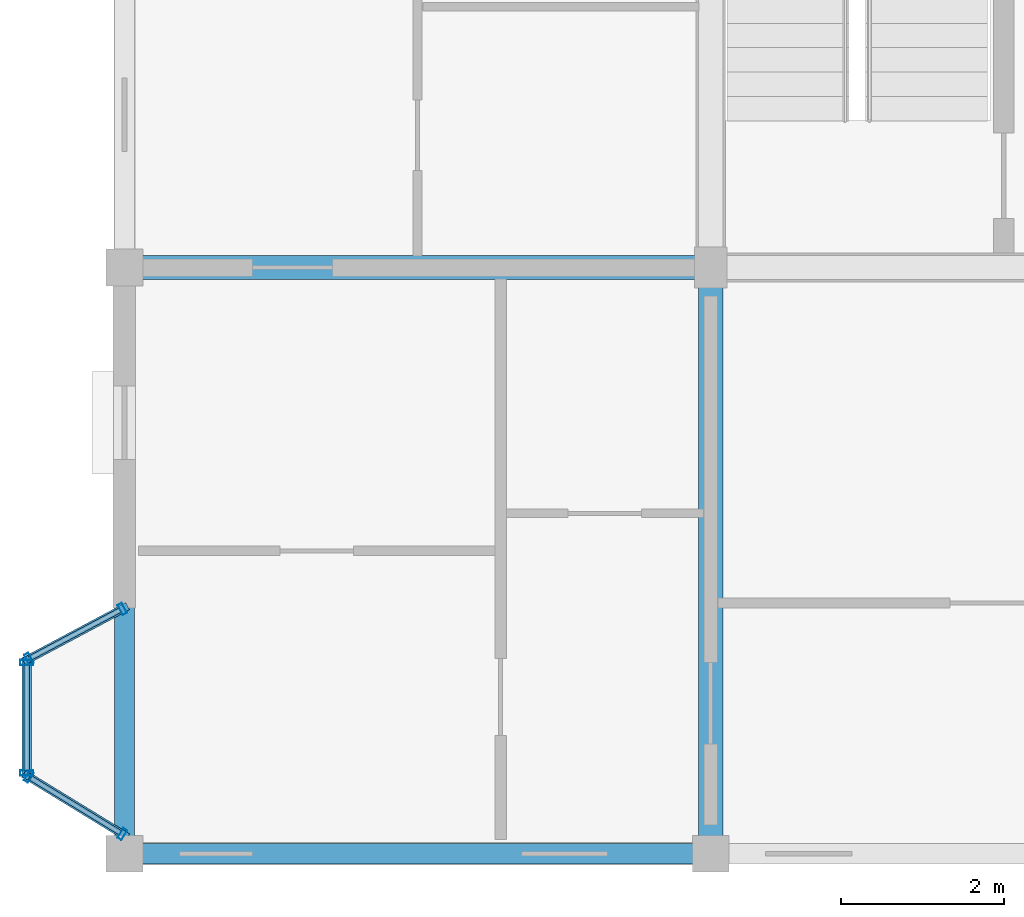
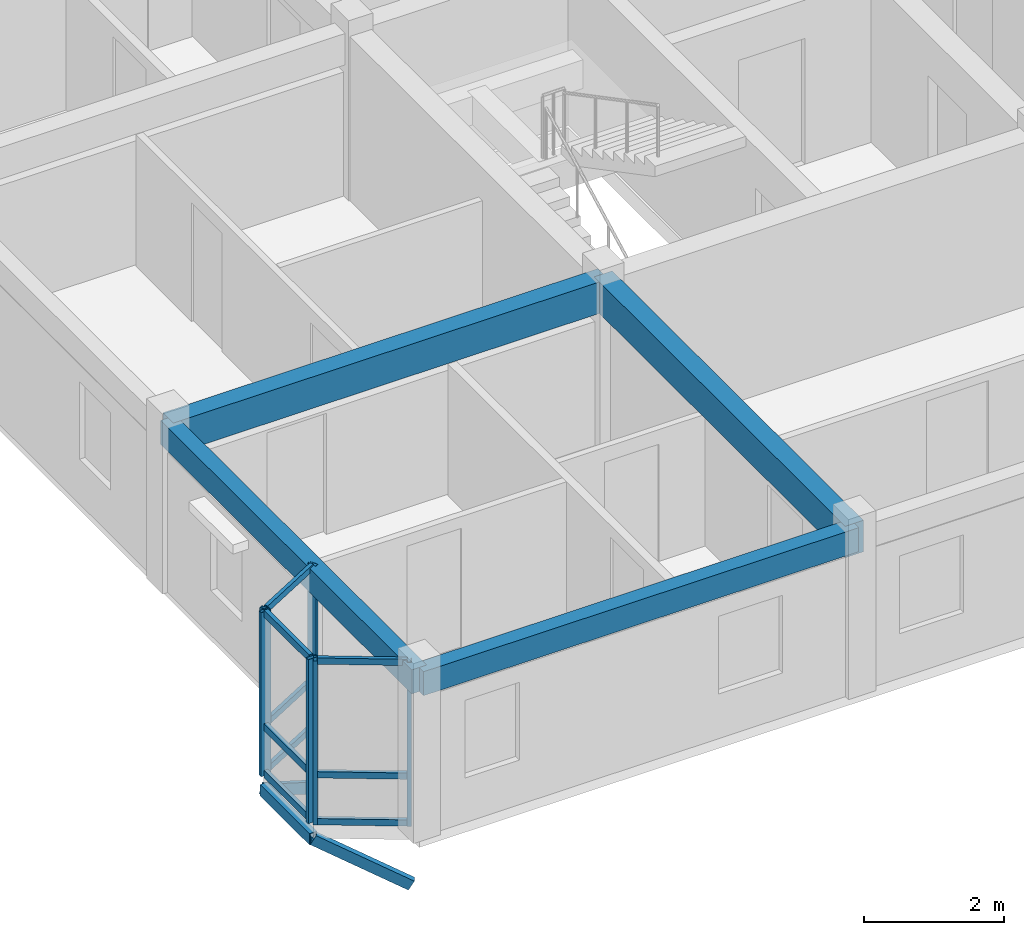
# One storey, part 3 of 40: 18 members, 4 beams, 3 elements without a shape of their own.
"""IFC4 building model written with IfcOpenShell, lengths in metres."""

from ifc_helpers import new_model, si_unit, direction, frame, origin, origin_2d, place, context, subcontext, project, spatial, rectangle, hollow_rectangle, extrude, material, layer, layer_set, material_profile, profile_set, type_object, element, aggregate, save


model = new_model("IFC4")

# Units and contexts
model_context = context("Model", 3, precision=1e-05, world=origin(), true_north=direction((0.0, 1.0)))
body_context = subcontext(model_context, "Body", "Model", "MODEL_VIEW")
ifc_project = project(units=[si_unit("LENGTHUNIT", "METRE"), si_unit("AREAUNIT", "SQUARE_METRE"), si_unit("VOLUMEUNIT", "CUBIC_METRE"), si_unit("PLANEANGLEUNIT", "RADIAN"), si_unit("MASSUNIT", "GRAM", prefix="KILO"), si_unit("THERMODYNAMICTEMPERATUREUNIT", "KELVIN"), si_unit("POWERUNIT", "WATT")], contexts=[model_context])

# Site, building, storey
site_placement = place(None, origin())
site = spatial("IfcSite", under=ifc_project, at=site_placement, CompositionType="ELEMENT")
building_placement = place(site_placement, origin())
building = spatial("IfcBuilding", under=site, at=building_placement, Name="Tavuni Mirador Residences", CompositionType="ELEMENT")
storey_placement = place(building_placement, frame((0.0, 0.0, 36.0)))
storey = spatial("IfcBuildingStorey", under=building, at=storey_placement, Name="L11", CompositionType="ELEMENT", Elevation=36.0)

# Beams
ifc_material_1 = material(Name="Precast concrete C40/50", Category="concrete")
ifc_material_profile_1 = material_profile(ifc_material_1, rectangle(XDim=0.300048828125, YDim=0.550048828125, at=origin_2d()), Name="PC 300x550", Category="concrete")
ifc_profile_set_1 = profile_set([ifc_material_profile_1], Name="Precast concrete C40/50")
beam_type_1 = type_object("IfcBeamType", Name="BT-B550", PredefinedType="BEAM", material=ifc_profile_set_1)
for number, where, z_axis, x_axis, name in (
    (1, (3.60009765625, 14.39990234375, 2.594970703125), (1.0, 0.0, 0.0), (0.0, 1.0, 0.0), "BMX-BLK-A-L11-00-01"),
    (2, (10.800048828125, 7.199951171875, 2.594970703125), (0.0, 1.0, 0.0), (-1.0, 0.0, 0.0), "BMY-BLK-A-L11-01-00"),
):
    element("IfcBeam", number, at=place(storey_placement, frame(where, z_axis=z_axis, x_axis=x_axis)), inside=storey, type_object=beam_type_1, Name=name, PredefinedType="BEAM", context=body_context, shape_type="SweptSolid", body=[
        extrude(rectangle(XDim=0.300048828125, YDim=0.550048828125, at=origin_2d()), origin(), (0.0, 0.0, 1.0), 7.199951171875),
    ])
ifc_material_profile_2 = material_profile(ifc_material_1, rectangle(XDim=0.25, YDim=0.419921875, at=origin_2d()), Name="PC 250x420", Category="concrete")
ifc_profile_set_2 = profile_set([ifc_material_profile_2], Name="Precast concrete C40/50")
beam_type_2 = type_object("IfcBeamType", Name="BT-SP420", PredefinedType="SPANDREL", material=ifc_profile_set_2)
for number, where, z_axis, x_axis, name in (
    (3, (3.60009765625, 7.199951171875, 2.659912109375), (1.0, 0.0, 0.0), (0.0, 1.0, 0.0), "BMX-BLK-A-L11-00-00"),
    (4, (3.60009765625, 7.199951171875, 2.659912109375), (0.0, 1.0, 0.0), (-1.0, 0.0, 0.0), "BMY-BLK-A-L11-00-00"),
):
    element("IfcBeam", number, at=place(storey_placement, frame(where, z_axis=z_axis, x_axis=x_axis)), inside=storey, type_object=beam_type_2, Name=name, PredefinedType="SPANDREL", context=body_context, shape_type="SweptSolid", body=[
        extrude(rectangle(XDim=0.25, YDim=0.419921875, at=origin_2d()), origin(), (0.0, 0.0, 1.0), 7.199951171875),
    ])

# Curtain wall, members
ifc_material_2 = material(Name="Anodised aluminium", Category="aluminium")
ifc_layer_1 = layer(ifc_material_2, 0.175048828125, Name="Anodised aluminium", Category="aluminium")
ifc_layer_set_1 = layer_set([ifc_layer_1], Name="Anodised aluminium")
curtain_wall_type_1 = type_object("IfcCurtainWallType", Name="CWT-MIR-C", PredefinedType="NOTDEFINED", material=ifc_layer_set_1)
curtain_wall_1_placement = place(storey_placement, origin())
curtain_wall_1 = element("IfcCurtainWall", 5, at=curtain_wall_1_placement, inside=storey, type_object=curtain_wall_type_1, Name="CW-MIR-A-W1-L11-M1", PredefinedType="NOTDEFINED")
ifc_material_profile_3 = material_profile(ifc_material_2, hollow_rectangle(XDim=0.06005859375, YDim=0.139892578125, WallThickness=0.00390625, at=origin_2d()), Name="ALU 60x140x4.0", Category="aluminium")
ifc_profile_set_3 = profile_set([ifc_material_profile_3], Name="Anodised aluminium")
member_type_1 = type_object("IfcMemberType", Name="CWM-140", PredefinedType="MULLION", material=ifc_profile_set_3)
member_1_placement = place(storey_placement, frame((3.573486328125, 10.205810546875, 0.0), z_axis=(0.0, 0.0, 1.0), x_axis=(-0.882352941175, -0.470588235296, 0.0)))
member_1 = element("IfcMember", 6, at=member_1_placement, type_object=member_type_1, Name="CW-03 mullion 1", PredefinedType="MULLION", context=body_context, shape_type="SweptSolid", body=[
    extrude(hollow_rectangle(XDim=0.06005859375, YDim=0.139892578125, WallThickness=0.00390625, at=origin_2d()), origin(), (0.0, 0.0, 1.0), 2.8701171875),
])
member_2_placement = place(storey_placement, frame((2.426513671875, 9.59423828125, 0.0), z_axis=(0.0, 0.0, 1.0), x_axis=(-0.882352941175, -0.470588235296, 0.0)))
member_2 = element("IfcMember", 7, at=member_2_placement, type_object=member_type_1, Name="CW-03 mullion 2", PredefinedType="MULLION", context=body_context, shape_type="SweptSolid", body=[
    extrude(hollow_rectangle(XDim=0.06005859375, YDim=0.139892578125, WallThickness=0.00390625, at=origin_2d()), origin(), (0.0, 0.0, 1.0), 2.8701171875),
])

ifc_layer_2 = layer(ifc_material_2, 0.1650390625, Name="Anodised aluminium", Category="aluminium")
ifc_layer_set_2 = layer_set([ifc_layer_2], Name="Anodised aluminium")
curtain_wall_type_2 = type_object("IfcCurtainWallType", Name="CWT-MIR-A", PredefinedType="NOTDEFINED", material=ifc_layer_set_2)
curtain_wall_2_placement = place(storey_placement, origin())
curtain_wall_2 = element("IfcCurtainWall", 8, at=curtain_wall_2_placement, inside=storey, type_object=curtain_wall_type_2, Name="CW-MIR-A-W1-L11-M2", PredefinedType="NOTDEFINED")
member_3_placement = place(storey_placement, frame((2.425537109375, 8.144287109375, 0.0), z_axis=(0.0, 0.0, 1.0), x_axis=(0.852754414845, -0.522312079088, 0.0)))
member_3 = element("IfcMember", 9, at=member_3_placement, type_object=member_type_1, Name="CW-01 mullion 1", PredefinedType="MULLION", context=body_context, shape_type="SweptSolid", body=[
    extrude(hollow_rectangle(XDim=0.06005859375, YDim=0.139892578125, WallThickness=0.00390625, at=origin_2d()), origin(), (0.0, 0.0, 1.0), 2.8701171875),
])
member_4_placement = place(storey_placement, frame((3.574462890625, 7.440673828125, 0.0), z_axis=(0.0, 0.0, 1.0), x_axis=(0.852754414845, -0.522312079088, 0.0)))
member_4 = element("IfcMember", 10, at=member_4_placement, type_object=member_type_1, Name="CW-01 mullion 2", PredefinedType="MULLION", context=body_context, shape_type="SweptSolid", body=[
    extrude(hollow_rectangle(XDim=0.06005859375, YDim=0.139892578125, WallThickness=0.00390625, at=origin_2d()), origin(), (0.0, 0.0, 1.0), 2.8701171875),
])

ifc_layer_3 = layer(ifc_material_2, 0.159912109375, Name="Anodised aluminium", Category="aluminium")
ifc_layer_set_3 = layer_set([ifc_layer_3], Name="Anodised aluminium")
curtain_wall_type_3 = type_object("IfcCurtainWallType", Name="CWT-MIR-D", PredefinedType="NOTDEFINED", material=ifc_layer_set_3)
curtain_wall_3_placement = place(storey_placement, origin())
curtain_wall_3 = element("IfcCurtainWall", 11, at=curtain_wall_3_placement, inside=storey, type_object=curtain_wall_type_3, Name="CW-MIR-A-W1-L11-MF", PredefinedType="NOTDEFINED")
ifc_material_profile_4 = material_profile(ifc_material_2, hollow_rectangle(XDim=0.06494140625, YDim=0.1650390625, WallThickness=0.00439453125, at=origin_2d()), Name="ALU 65x165x4.5", Category="aluminium")
ifc_profile_set_4 = profile_set([ifc_material_profile_4], Name="Anodised aluminium")
member_type_2 = type_object("IfcMemberType", Name="CWM-165", PredefinedType="MULLION", material=ifc_profile_set_4)
member_5_placement = place(storey_placement, frame((2.39990234375, 9.547607421875, 0.0), z_axis=(0.0, 0.0, 1.0), x_axis=(0.0, -1.0, 0.0)))
member_5 = element("IfcMember", 12, at=member_5_placement, type_object=member_type_2, Name="CW-04 mullion 1", PredefinedType="MULLION", context=body_context, shape_type="SweptSolid", body=[
    extrude(hollow_rectangle(XDim=0.06494140625, YDim=0.1650390625, WallThickness=0.00439453125, at=origin_2d()), origin(), (0.0, 0.0, 1.0), 2.8701171875),
])
member_6_placement = place(storey_placement, frame((2.39990234375, 8.1923828125, 0.0), z_axis=(0.0, 0.0, 1.0), x_axis=(0.0, -1.0, 0.0)))
member_6 = element("IfcMember", 13, at=member_6_placement, type_object=member_type_2, Name="CW-04 mullion 2", PredefinedType="MULLION", context=body_context, shape_type="SweptSolid", body=[
    extrude(hollow_rectangle(XDim=0.06494140625, YDim=0.1650390625, WallThickness=0.00439453125, at=origin_2d()), origin(), (0.0, 0.0, 1.0), 2.8701171875),
])

# Member
ifc_material_profile_5 = material_profile(ifc_material_2, hollow_rectangle(XDim=0.06005859375, YDim=0.110107421875, WallThickness=0.00390625, at=origin_2d()), Name="ALU 60x110x4.0", Category="aluminium")
ifc_profile_set_5 = profile_set([ifc_material_profile_5], Name="Anodised aluminium")
member_type_3 = type_object("IfcMemberType", Name="CWT-110", PredefinedType="USERDEFINED", material=ifc_profile_set_5)
member_7_placement = place(storey_placement, frame((3.547119140625, 10.191650390625, 0.030029296875), z_axis=(-0.882385637708, -0.470526924168, 0.0), x_axis=(0.470526924168, -0.882385637708, 0.0)))
member_7 = element("IfcMember", 14, at=member_7_placement, type_object=member_type_3, Name="CW-03 transom 1.1", ObjectType="TRANSOM", PredefinedType="USERDEFINED", context=body_context, shape_type="SweptSolid", body=[
    extrude(hollow_rectangle(XDim=0.06005859375, YDim=0.110107421875, WallThickness=0.00390625, at=origin_2d()), origin(), (0.0, 0.0, 1.0), 1.239990234375),
])

member_8_placement = place(storey_placement, frame((3.547119140625, 10.191650390625, 0.85009765625), z_axis=(-0.882385637708, -0.470526924168, 0.0), x_axis=(0.470526924168, -0.882385637708, 0.0)))
member_8 = element("IfcMember", 15, at=member_8_placement, type_object=member_type_3, Name="CW-03 transom 1.2", ObjectType="TRANSOM", PredefinedType="USERDEFINED", context=body_context, shape_type="SweptSolid", body=[
    extrude(hollow_rectangle(XDim=0.06005859375, YDim=0.110107421875, WallThickness=0.00390625, at=origin_2d()), origin(), (0.0, 0.0, 1.0), 1.239990234375),
])

member_9_placement = place(storey_placement, frame((3.547119140625, 10.191650390625, 2.840087890625), z_axis=(-0.882385637708, -0.470526924168, 0.0), x_axis=(0.470526924168, -0.882385637708, 0.0)))
member_9 = element("IfcMember", 16, at=member_9_placement, type_object=member_type_3, Name="CW-03 transom 1.3", ObjectType="TRANSOM", PredefinedType="USERDEFINED", context=body_context, shape_type="SweptSolid", body=[
    extrude(hollow_rectangle(XDim=0.06005859375, YDim=0.110107421875, WallThickness=0.00390625, at=origin_2d()), origin(), (0.0, 0.0, 1.0), 1.239990234375),
])

aggregate(curtain_wall_1, [member_1, member_2, member_7, member_8, member_9])

member_10_placement = place(storey_placement, frame((2.451171875, 8.128662109375, 0.030029296875), z_axis=(0.852737518817, -0.522339663439, 0.0), x_axis=(0.522339663439, 0.852737518817, 0.0)))
member_10 = element("IfcMember", 17, at=member_10_placement, type_object=member_type_3, Name="CW-01 transom 1.1", ObjectType="TRANSOM", PredefinedType="USERDEFINED", context=body_context, shape_type="SweptSolid", body=[
    extrude(hollow_rectangle(XDim=0.06005859375, YDim=0.110107421875, WallThickness=0.00390625, at=origin_2d()), origin(), (0.0, 0.0, 1.0), 1.287109375),
])

member_11_placement = place(storey_placement, frame((2.451171875, 8.128662109375, 0.85009765625), z_axis=(0.852737518817, -0.522339663439, 0.0), x_axis=(0.522339663439, 0.852737518817, 0.0)))
member_11 = element("IfcMember", 18, at=member_11_placement, type_object=member_type_3, Name="CW-01 transom 1.2", ObjectType="TRANSOM", PredefinedType="USERDEFINED", context=body_context, shape_type="SweptSolid", body=[
    extrude(hollow_rectangle(XDim=0.06005859375, YDim=0.110107421875, WallThickness=0.00390625, at=origin_2d()), origin(), (0.0, 0.0, 1.0), 1.287109375),
])

member_12_placement = place(storey_placement, frame((2.451171875, 8.128662109375, 2.840087890625), z_axis=(0.852737518817, -0.522339663439, 0.0), x_axis=(0.522339663439, 0.852737518817, 0.0)))
member_12 = element("IfcMember", 19, at=member_12_placement, type_object=member_type_3, Name="CW-01 transom 1.3", ObjectType="TRANSOM", PredefinedType="USERDEFINED", context=body_context, shape_type="SweptSolid", body=[
    extrude(hollow_rectangle(XDim=0.06005859375, YDim=0.110107421875, WallThickness=0.00390625, at=origin_2d()), origin(), (0.0, 0.0, 1.0), 1.287109375),
])

aggregate(curtain_wall_2, [member_3, member_4, member_10, member_11, member_12])

ifc_material_profile_6 = material_profile(ifc_material_2, hollow_rectangle(XDim=0.06494140625, YDim=0.125, WallThickness=0.00439453125, at=origin_2d()), Name="ALU 65x125x4.5", Category="aluminium")
ifc_profile_set_6 = profile_set([ifc_material_profile_6], Name="Anodised aluminium")
member_type_4 = type_object("IfcMemberType", Name="CWT-125", PredefinedType="USERDEFINED", material=ifc_profile_set_6)
member_13_placement = place(storey_placement, frame((2.39990234375, 9.514892578125, 0.032470703125), z_axis=(0.0, -1.0, 0.0), x_axis=(1.0, 0.0, 0.0)))
member_13 = element("IfcMember", 20, at=member_13_placement, type_object=member_type_4, Name="CW-04 transom 1.1", ObjectType="TRANSOM", PredefinedType="USERDEFINED", context=body_context, shape_type="SweptSolid", body=[
    extrude(hollow_rectangle(XDim=0.06494140625, YDim=0.125, WallThickness=0.00439453125, at=origin_2d()), origin(), (0.0, 0.0, 1.0), 1.289794921875),
])

member_14_placement = place(storey_placement, frame((2.39990234375, 9.514892578125, 0.85009765625), z_axis=(0.0, -1.0, 0.0), x_axis=(1.0, 0.0, 0.0)))
member_14 = element("IfcMember", 21, at=member_14_placement, type_object=member_type_4, Name="CW-04 transom 1.2", ObjectType="TRANSOM", PredefinedType="USERDEFINED", context=body_context, shape_type="SweptSolid", body=[
    extrude(hollow_rectangle(XDim=0.06494140625, YDim=0.125, WallThickness=0.00439453125, at=origin_2d()), origin(), (0.0, 0.0, 1.0), 1.289794921875),
])

member_15_placement = place(storey_placement, frame((2.39990234375, 9.514892578125, 2.83740234375), z_axis=(0.0, -1.0, 0.0), x_axis=(1.0, 0.0, 0.0)))
member_15 = element("IfcMember", 22, at=member_15_placement, type_object=member_type_4, Name="CW-04 transom 1.3", ObjectType="TRANSOM", PredefinedType="USERDEFINED", context=body_context, shape_type="SweptSolid", body=[
    extrude(hollow_rectangle(XDim=0.06494140625, YDim=0.125, WallThickness=0.00439453125, at=origin_2d()), origin(), (0.0, 0.0, 1.0), 1.289794921875),
])

aggregate(curtain_wall_3, [member_5, member_6, member_13, member_14, member_15])

# Members
ifc_material_3 = material(Name="Structural steel S355", Category="steel")
ifc_material_profile_7 = material_profile(ifc_material_3, hollow_rectangle(XDim=0.10009765625, YDim=0.179931640625, WallThickness=0.008056640625, at=origin_2d()), Name="RHS 180x100x8.0", Category="steel")
ifc_profile_set_7 = profile_set([ifc_material_profile_7], Name="Structural steel S355")
member_type_5 = type_object("IfcMemberType", Name="MT-BR-RHS180", PredefinedType="BRACE", material=ifc_profile_set_7)
member_16_placement = place(storey_placement, frame((3.60009765625, 7.425048828125, -1.050048828125), z_axis=(-0.748163203753, 0.458090163405, 0.480005440325), x_axis=(-0.522179610986, -0.852835537411, 0.0)))
element("IfcMember", 23, at=member_16_placement, inside=storey, type_object=member_type_5, Name="MBRK-MIR-A-W1-L11-1", PredefinedType="BRACE", context=body_context, shape_type="SweptSolid", body=[
    extrude(hollow_rectangle(XDim=0.10009765625, YDim=0.179931640625, WallThickness=0.008056640625, at=origin_2d()), origin(), (0.0, 0.0, 1.0), 1.604248046875),
])
member_17_placement = place(storey_placement, frame((3.60009765625, 10.219970703125, -1.050048828125), z_axis=(-0.767896193149, -0.409409260017, 0.492665702439), x_axis=(0.470467115558, -0.882417527692, 0.0)))
element("IfcMember", 24, at=member_17_placement, inside=storey, type_object=member_type_5, Name="MBRK-MIR-A-W1-L11-2", PredefinedType="BRACE", context=body_context, shape_type="SweptSolid", body=[
    extrude(hollow_rectangle(XDim=0.10009765625, YDim=0.179931640625, WallThickness=0.008056640625, at=origin_2d()), origin(), (0.0, 0.0, 1.0), 1.56298828125),
])
ifc_material_profile_8 = material_profile(ifc_material_3, hollow_rectangle(XDim=0.1201171875, YDim=0.199951171875, WallThickness=0.010009765625, at=origin_2d()), Name="RHS 200x120x10.0", Category="steel")
ifc_profile_set_8 = profile_set([ifc_material_profile_8], Name="Structural steel S355")
member_type_6 = type_object("IfcMemberType", Name="MT-ST-RHS200", PredefinedType="STRUT", material=ifc_profile_set_8)
member_18_placement = place(storey_placement, frame((2.39990234375, 8.159912109375, -0.280029296875), z_axis=(0.0, 1.0, 0.0), x_axis=(-1.0, 0.0, 0.0)))
element("IfcMember", 25, at=member_18_placement, inside=storey, type_object=member_type_6, Name="MRIM-MIR-A-W1-L11", PredefinedType="STRUT", context=body_context, shape_type="SweptSolid", body=[
    extrude(hollow_rectangle(XDim=0.1201171875, YDim=0.199951171875, WallThickness=0.010009765625, at=origin_2d()), origin(), (0.0, 0.0, 1.0), 1.420166015625),
])

save(model, "model.ifc")
